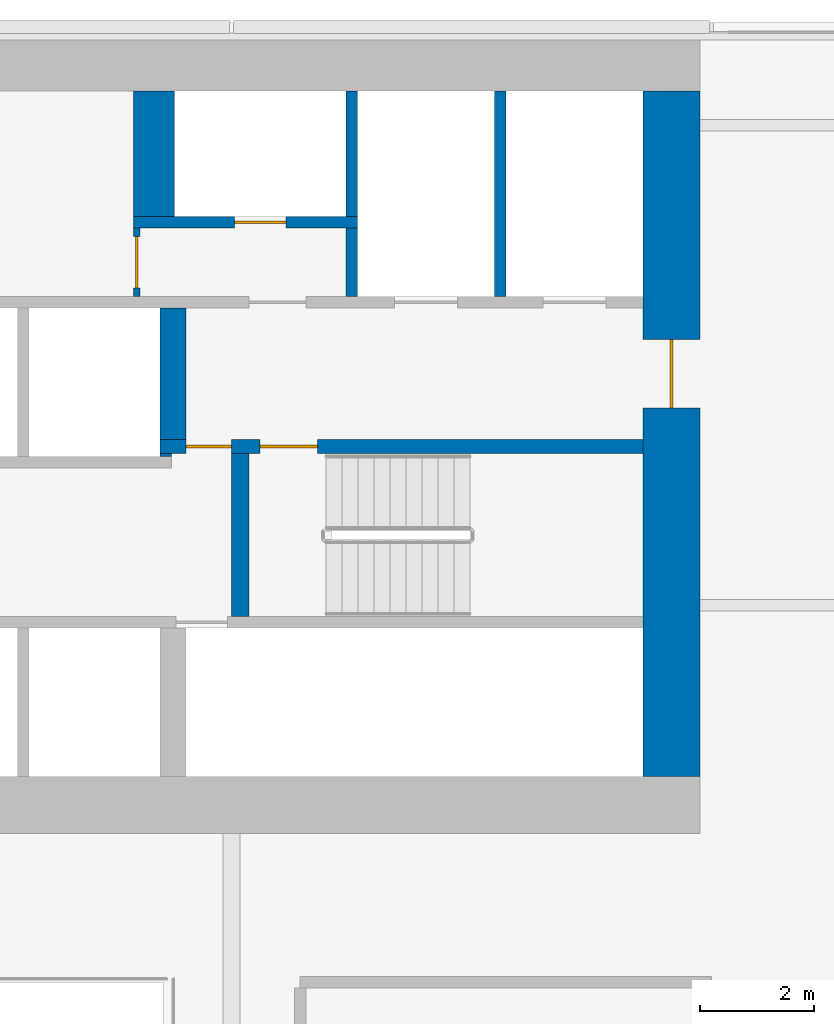
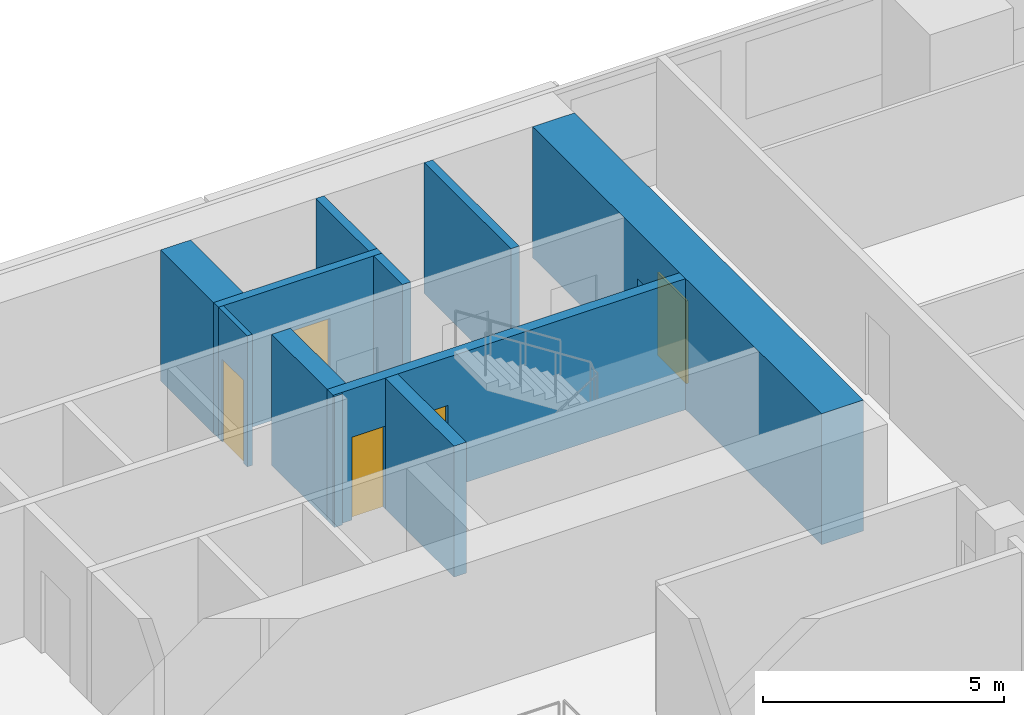
# One storey, part 20 of 27: 11 walls, 5 doors, 5 openings.
"""IFC4 building model written with IfcOpenShell, lengths in metres."""

from ifc_helpers import new_model, si_unit, direction, frame, frame_2d, origin, place, context, subcontext, project, spatial, rectangle, extrude, material, layer, layer_set, type_object, element, fill, save


model = new_model("IFC4")

# Units and contexts
model_context = context("Model", 3, precision=1e-05, world=origin(), true_north=direction((0.0, 1.0)))
body_context = subcontext(model_context, "Body", "Model", "MODEL_VIEW")
ifc_project = project(units=[si_unit("LENGTHUNIT", "METRE"), si_unit("AREAUNIT", "SQUARE_METRE"), si_unit("VOLUMEUNIT", "CUBIC_METRE"), si_unit("PLANEANGLEUNIT", "RADIAN"), si_unit("MASSUNIT", "GRAM", prefix="KILO")], contexts=[model_context])

# Site, building, storey
site_placement = place(None, origin())
site = spatial("IfcSite", under=ifc_project, at=site_placement, CompositionType="ELEMENT")
building_placement = place(site_placement, origin())
building = spatial("IfcBuilding", under=site, at=building_placement, Name="Saffron Gate Tower", CompositionType="ELEMENT")
storey_placement = place(building_placement, frame((0.0, 0.0, 134.85009765625)))
storey = spatial("IfcBuildingStorey", under=building, at=storey_placement, Name="L32", CompositionType="ELEMENT", Elevation=134.85009765625)

# Wall
ifc_material_1 = material(Name="Concrete C70", Category="concrete")
ifc_layer_1 = layer(ifc_material_1, 0.719970703125)
ifc_layer_set_1 = layer_set([ifc_layer_1], Name="CW11 RC core wall 720 C70")
wall_type_1 = type_object("IfcWallType", Name="CW11 RC core wall 720 C70", PredefinedType="SOLIDWALL", material=ifc_layer_set_1)
wall_1_placement = place(storey_placement, frame((98.840087890625, 72.199951171875, 0.0), z_axis=(0.0, 0.0, 1.0), x_axis=(0.0, 1.0, 0.0)))
element("IfcWall", 1, at=wall_1_placement, inside=storey, type_object=wall_type_1, Name="Wall CW11-L32-48", PredefinedType="SOLIDWALL", context=body_context, shape_type="SweptSolid", body=[
    extrude(rectangle(XDim=2.199951171875, YDim=0.719970703125, at=frame_2d((1.10009765625, 0.0))), origin(), (0.0, 0.0, 1.0), 3.31982421875),
])

# Wall, opening, door
ifc_layer_2 = layer(ifc_material_1, 1.0)
ifc_layer_set_2 = layer_set([ifc_layer_2], Name="CW12 RC core wall 1000 C70")
wall_type_2 = type_object("IfcWallType", Name="CW12 RC core wall 1000 C70", PredefinedType="SOLIDWALL", material=ifc_layer_set_2)
wall_2_placement = place(storey_placement, frame((107.89990234375, 62.39990234375, 0.0), z_axis=(0.0, 0.0, 1.0), x_axis=(0.0, 1.0, 0.0)))
wall_2 = element("IfcWall", 2, at=wall_2_placement, inside=storey, type_object=wall_type_2, Name="Wall CW12-L32-4", PredefinedType="SOLIDWALL", context=body_context, shape_type="SweptSolid", body=[
    extrude(rectangle(XDim=12.0, YDim=1.0, at=frame_2d((6.0, 0.0))), origin(), (0.0, 0.0, 1.0), 3.31982421875),
])
opening_1_placement = place(wall_2_placement, frame((6.449951171875, 0.0, 0.0)))
opening_1 = element("IfcOpeningElement", 3, at=opening_1_placement, cuts=wall_2, Name="Opening CR-08", PredefinedType="OPENING", context=body_context, shape_type="SweptSolid", body=[
    extrude(rectangle(XDim=1.199951171875, YDim=2.10009765625, at=frame_2d((0.60009765625, 1.050048828125))), frame((0.0, 0.510009765625, 0.0), z_axis=(0.0, -1.0, 0.0), x_axis=(1.0, 0.0, 0.0)), (0.0, 0.0, 1.0), 1.02001953125),
])
ifc_material_2 = material(Name="Steel fire door set", Category="steel")
door_type_1 = type_object("IfcDoorType", Name="CD7 Core entrance door 1200x2100 EI 120", OperationType="NOTDEFINED", PredefinedType="DOOR", material=ifc_material_2)
door_1_placement = place(opening_1_placement, origin())
door_1 = element("IfcDoor", 4, at=door_1_placement, inside=storey, type_object=door_type_1, Name="DOOR CR-08", OperationType="SINGLE_SWING_RIGHT", OverallHeight=2.10009765625, OverallWidth=1.199951171875, PredefinedType="DOOR", context=body_context, shape_type="SweptSolid", body=[
    extrude(rectangle(XDim=1.199951171875, YDim=2.10009765625, at=frame_2d((0.60009765625, 1.050048828125))), frame((0.0, 0.02490234375, 0.0), z_axis=(0.0, -1.0, 0.0), x_axis=(1.0, 0.0, 0.0)), (0.0, 0.0, 1.0), 0.050048828125),
])
fill(opening_1, door_1)

# Wall, openings, doors
ifc_layer_3 = layer(ifc_material_1, 0.25)
ifc_layer_set_3 = layer_set([ifc_layer_3], Name="CW2 RC core wall 250 C70")
wall_type_3 = type_object("IfcWallType", Name="CW2 RC core wall 250 C70", PredefinedType="SOLIDWALL", material=ifc_layer_set_3)
wall_3_placement = place(storey_placement, frame((98.949951171875, 68.175048828125, 0.0), z_axis=(0.0, 0.0, 1.0), x_axis=(1.0, 0.0, 0.0)))
wall_3 = element("IfcWall", 5, at=wall_3_placement, inside=storey, type_object=wall_type_3, Name="Wall CW2-L32-31", PredefinedType="SOLIDWALL", context=body_context, shape_type="SweptSolid", body=[
    extrude(rectangle(XDim=8.449951171875, YDim=0.25, at=frame_2d((4.22509765625, 0.0))), origin(), (0.0, 0.0, 1.0), 3.31982421875),
])
opening_2_placement = place(wall_3_placement, frame((0.449951171875, 0.0, 0.0)))
opening_2 = element("IfcOpeningElement", 6, at=opening_2_placement, cuts=wall_3, Name="Opening CR-05", PredefinedType="OPENING", context=body_context, shape_type="SweptSolid", body=[
    extrude(rectangle(XDim=0.800048828125, YDim=2.10009765625, at=frame_2d((0.39990234375, 1.050048828125))), frame((0.0, 0.135009765625, 0.0), z_axis=(0.0, -1.0, 0.0), x_axis=(1.0, 0.0, 0.0)), (0.0, 0.0, 1.0), 0.27001953125),
])
opening_3_placement = place(wall_3_placement, frame((1.75, 0.0, 0.0)))
opening_3 = element("IfcOpeningElement", 7, at=opening_3_placement, cuts=wall_3, Name="Opening CR-16", PredefinedType="OPENING", context=body_context, shape_type="SweptSolid", body=[
    extrude(rectangle(XDim=1.0, YDim=2.10009765625, at=frame_2d((0.5, 1.050048828125))), frame((0.0, 0.135009765625, 0.0), z_axis=(0.0, -1.0, 0.0), x_axis=(1.0, 0.0, 0.0)), (0.0, 0.0, 1.0), 0.27001953125),
])
door_type_2 = type_object("IfcDoorType", Name="CD5 Stair door 1000x2100 EI 120", OperationType="NOTDEFINED", PredefinedType="DOOR", material=ifc_material_2)
door_2_placement = place(opening_3_placement, origin())
door_2 = element("IfcDoor", 8, at=door_2_placement, inside=storey, type_object=door_type_2, Name="DOOR CR-16", OperationType="SINGLE_SWING_RIGHT", OverallHeight=2.10009765625, OverallWidth=1.0, PredefinedType="DOOR", context=body_context, shape_type="SweptSolid", body=[
    extrude(rectangle(XDim=1.0, YDim=2.10009765625, at=frame_2d((0.5, 1.050048828125))), frame((0.0, 0.02490234375, 0.0), z_axis=(0.0, -1.0, 0.0), x_axis=(1.0, 0.0, 0.0)), (0.0, 0.0, 1.0), 0.050048828125),
])
fill(opening_3, door_2)
door_type_3 = type_object("IfcDoorType", Name="CD6 Lobby door 800x2100 EI 120", OperationType="NOTDEFINED", PredefinedType="DOOR", material=ifc_material_2)
door_3_placement = place(opening_2_placement, origin())
door_3 = element("IfcDoor", 9, at=door_3_placement, inside=storey, type_object=door_type_3, Name="DOOR CR-05", OperationType="SINGLE_SWING_LEFT", OverallHeight=2.10009765625, OverallWidth=0.800048828125, PredefinedType="DOOR", context=body_context, shape_type="SweptSolid", body=[
    extrude(rectangle(XDim=0.800048828125, YDim=2.10009765625, at=frame_2d((0.39990234375, 1.050048828125))), frame((0.0, 0.02490234375, 0.0), z_axis=(0.0, -1.0, 0.0), x_axis=(1.0, 0.0, 0.0)), (0.0, 0.0, 1.0), 0.050048828125),
])
fill(opening_2, door_3)

# Walls
ifc_layer_4 = layer(ifc_material_1, 0.199951171875)
ifc_layer_set_4 = layer_set([ifc_layer_4], Name="CW3 RC core wall 200 C70")
wall_type_4 = type_object("IfcWallType", Name="CW3 RC core wall 200 C70", PredefinedType="SOLIDWALL", material=ifc_layer_set_4)
wall_4_placement = place(storey_placement, frame((102.300048828125, 70.800048828125, 0.0), z_axis=(0.0, 0.0, 1.0), x_axis=(0.0, 1.0, 0.0)))
element("IfcWall", 10, at=wall_4_placement, inside=storey, type_object=wall_type_4, Name="Wall CW3-L32-41", PredefinedType="SOLIDWALL", context=body_context, shape_type="SweptSolid", body=[
    extrude(rectangle(XDim=1.199951171875, YDim=0.199951171875, at=frame_2d((0.60009765625, 0.0))), origin(), (0.0, 0.0, 1.0), 3.31982421875),
])
wall_5_placement = place(storey_placement, frame((104.89990234375, 70.800048828125, 0.0), z_axis=(0.0, 0.0, 1.0), x_axis=(0.0, 1.0, 0.0)))
element("IfcWall", 11, at=wall_5_placement, inside=storey, type_object=wall_type_4, Name="Wall CW3-L32-42", PredefinedType="SOLIDWALL", context=body_context, shape_type="SweptSolid", body=[
    extrude(rectangle(XDim=3.599853515625, YDim=0.199951171875, at=frame_2d((1.7998046875, 0.0))), origin(), (0.0, 0.0, 1.0), 3.31982421875),
])

# Wall, opening, door
wall_6_placement = place(storey_placement, frame((98.47998046875, 72.10009765625, 0.0), z_axis=(0.0, 0.0, 1.0), x_axis=(1.0, 0.0, 0.0)))
wall_6 = element("IfcWall", 12, at=wall_6_placement, inside=storey, type_object=wall_type_4, Name="Wall CW3-L32-44", PredefinedType="SOLIDWALL", context=body_context, shape_type="SweptSolid", body=[
    extrude(rectangle(XDim=3.919921875, YDim=0.199951171875, at=frame_2d((1.9599609375, 0.0))), origin(), (0.0, 0.0, 1.0), 3.31982421875),
])
opening_4_placement = place(wall_6_placement, frame((1.77001953125, 0.0, 0.0)))
opening_4 = element("IfcOpeningElement", 13, at=opening_4_placement, cuts=wall_6, Name="Opening CR-70", PredefinedType="OPENING", context=body_context, shape_type="SweptSolid", body=[
    extrude(rectangle(XDim=0.89990234375, YDim=2.10009765625, at=frame_2d((0.449951171875, 1.050048828125))), frame((0.0, 0.10986328125, 0.0), z_axis=(0.0, -1.0, 0.0), x_axis=(1.0, 0.0, 0.0)), (0.0, 0.0, 1.0), 0.219970703125),
])
door_type_4 = type_object("IfcDoorType", Name="CD2 Riser door 900x2100 EI 60", OperationType="NOTDEFINED", PredefinedType="DOOR", material=ifc_material_2)
door_4_placement = place(opening_4_placement, origin())
door_4 = element("IfcDoor", 14, at=door_4_placement, inside=storey, type_object=door_type_4, Name="DOOR CR-70", OperationType="SINGLE_SWING_LEFT", OverallHeight=2.10009765625, OverallWidth=0.89990234375, PredefinedType="DOOR", context=body_context, shape_type="SweptSolid", body=[
    extrude(rectangle(XDim=0.89990234375, YDim=2.10009765625, at=frame_2d((0.449951171875, 1.050048828125))), frame((0.0, 0.02490234375, 0.0), z_axis=(0.0, -1.0, 0.0), x_axis=(1.0, 0.0, 0.0)), (0.0, 0.0, 1.0), 0.050048828125),
])
fill(opening_4, door_4)

# Walls
wall_7_placement = place(storey_placement, frame((102.300048828125, 72.199951171875, 0.0), z_axis=(0.0, 0.0, 1.0), x_axis=(0.0, 1.0, 0.0)))
element("IfcWall", 15, at=wall_7_placement, inside=storey, type_object=wall_type_4, Name="Wall CW3-L32-49", PredefinedType="SOLIDWALL", context=body_context, shape_type="SweptSolid", body=[
    extrude(rectangle(XDim=2.199951171875, YDim=0.199951171875, at=frame_2d((1.10009765625, 0.0))), origin(), (0.0, 0.0, 1.0), 3.31982421875),
])
ifc_layer_5 = layer(ifc_material_1, 0.449951171875)
ifc_layer_set_5 = layer_set([ifc_layer_5], Name="CW4 RC core wall 450 C70")
wall_type_5 = type_object("IfcWallType", Name="CW4 RC core wall 450 C70", PredefinedType="SOLIDWALL", material=ifc_layer_set_5)
wall_8_placement = place(storey_placement, frame((99.175048828125, 68.300048828125, 0.0), z_axis=(0.0, 0.0, 1.0), x_axis=(0.0, 1.0, 0.0)))
element("IfcWall", 16, at=wall_8_placement, inside=storey, type_object=wall_type_5, Name="Wall CW4-L32-33", PredefinedType="SOLIDWALL", context=body_context, shape_type="SweptSolid", body=[
    extrude(rectangle(XDim=2.300048828125, YDim=0.449951171875, at=frame_2d((1.14990234375, 0.0))), origin(), (0.0, 0.0, 1.0), 3.31982421875),
])
ifc_layer_6 = layer(ifc_material_1, 0.300048828125)
ifc_layer_set_6 = layer_set([ifc_layer_6], Name="CW5 RC core wall 300 C70")
wall_type_6 = type_object("IfcWallType", Name="CW5 RC core wall 300 C70", PredefinedType="SOLIDWALL", material=ifc_layer_set_6)
wall_9_placement = place(storey_placement, frame((100.35009765625, 65.199951171875, 0.0), z_axis=(0.0, 0.0, 1.0), x_axis=(0.0, 1.0, 0.0)))
element("IfcWall", 17, at=wall_9_placement, inside=storey, type_object=wall_type_6, Name="Wall CW5-L32-19", PredefinedType="SOLIDWALL", context=body_context, shape_type="SweptSolid", body=[
    extrude(rectangle(XDim=2.85009765625, YDim=0.300048828125, at=frame_2d((1.425048828125, 0.0))), origin(), (0.0, 0.0, 1.0), 3.31982421875),
])
ifc_layer_7 = layer(ifc_material_1, 0.050048828125)
ifc_layer_set_7 = layer_set([ifc_layer_7], Name="CW6 RC core wall 50 C70")
wall_type_7 = type_object("IfcWallType", Name="CW6 RC core wall 50 C70", PredefinedType="SOLIDWALL", material=ifc_layer_set_7)
wall_10_placement = place(storey_placement, frame((98.949951171875, 68.02490234375, 0.0), z_axis=(0.0, 0.0, 1.0), x_axis=(1.0, 0.0, 0.0)))
element("IfcWall", 18, at=wall_10_placement, inside=storey, type_object=wall_type_7, Name="Wall CW6-L32-29", PredefinedType="SOLIDWALL", context=body_context, shape_type="SweptSolid", body=[
    extrude(rectangle(XDim=0.199951171875, YDim=0.050048828125, at=frame_2d((0.10009765625, 0.0))), origin(), (0.0, 0.0, 1.0), 3.31982421875),
])

# Wall, opening, door
ifc_material_3 = material(Name="Gypsum board partition on steel studs", Category="steel")
ifc_layer_8 = layer(ifc_material_3, 0.1201171875)
ifc_layer_set_8 = layer_set([ifc_layer_8], Name="CW8 Core partition 120")
wall_type_8 = type_object("IfcWallType", Name="CW8 Core partition 120", PredefinedType="PARTITIONING", material=ifc_layer_set_8)
wall_11_placement = place(storey_placement, frame((98.5400390625, 70.800048828125, 0.0), z_axis=(0.0, 0.0, 1.0), x_axis=(0.0, 1.0, 0.0)))
wall_11 = element("IfcWall", 19, at=wall_11_placement, inside=storey, type_object=wall_type_8, Name="Wall CW8-L32-40", PredefinedType="PARTITIONING", context=body_context, shape_type="SweptSolid", body=[
    extrude(rectangle(XDim=1.199951171875, YDim=0.1201171875, at=frame_2d((0.60009765625, 0.0))), origin(), (0.0, 0.0, 1.0), 3.31982421875),
])
opening_5_placement = place(wall_11_placement, frame((0.14990234375, 0.0, 0.0)))
opening_5 = element("IfcOpeningElement", 20, at=opening_5_placement, cuts=wall_11, Name="Opening CR-54", PredefinedType="OPENING", context=body_context, shape_type="SweptSolid", body=[
    extrude(rectangle(XDim=0.89990234375, YDim=2.10009765625, at=frame_2d((0.449951171875, 1.050048828125))), frame((0.0, 0.070068359375, 0.0), z_axis=(0.0, -1.0, 0.0), x_axis=(1.0, 0.0, 0.0)), (0.0, 0.0, 1.0), 0.14013671875),
])
door_type_5 = type_object("IfcDoorType", Name="CD9 Room door 900x2100 EI 60", OperationType="NOTDEFINED", PredefinedType="DOOR", material=ifc_material_2)
door_5_placement = place(opening_5_placement, origin())
door_5 = element("IfcDoor", 21, at=door_5_placement, inside=storey, type_object=door_type_5, Name="DOOR CR-54", OperationType="SINGLE_SWING_LEFT", OverallHeight=2.10009765625, OverallWidth=0.89990234375, PredefinedType="DOOR", context=body_context, shape_type="SweptSolid", body=[
    extrude(rectangle(XDim=0.89990234375, YDim=2.10009765625, at=frame_2d((0.449951171875, 1.050048828125))), frame((0.0, 0.02490234375, 0.0), z_axis=(0.0, -1.0, 0.0), x_axis=(1.0, 0.0, 0.0)), (0.0, 0.0, 1.0), 0.050048828125),
])
fill(opening_5, door_5)

save(model, "model.ifc")
